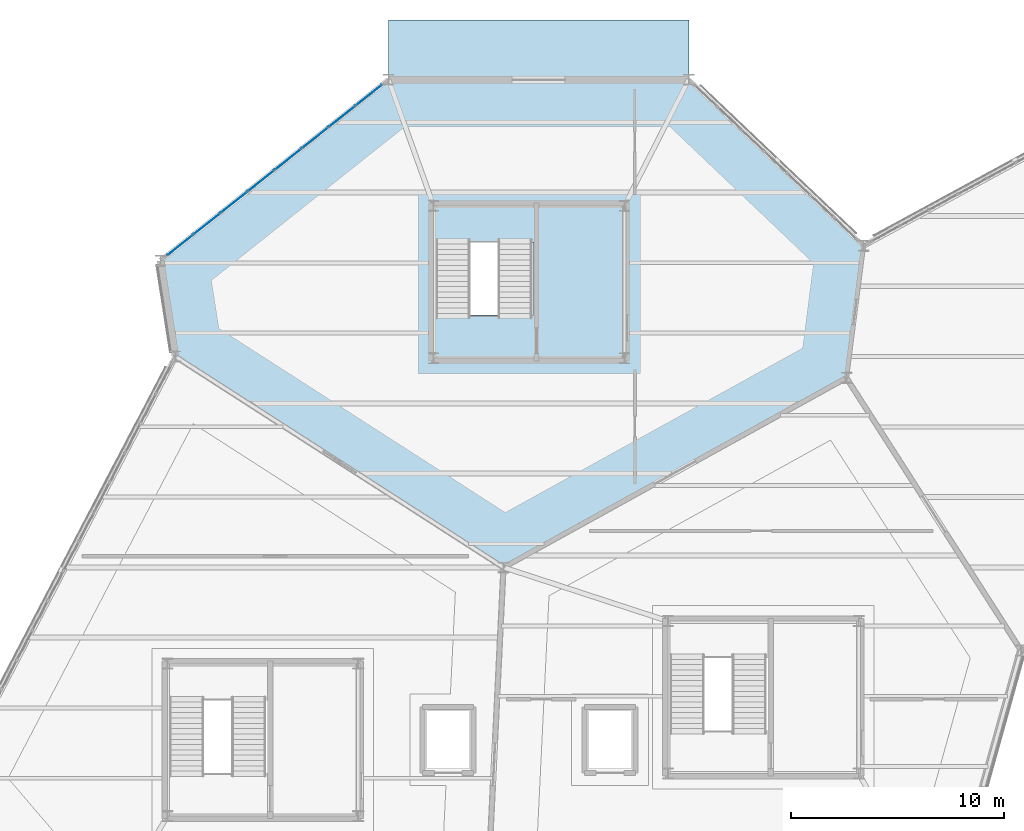
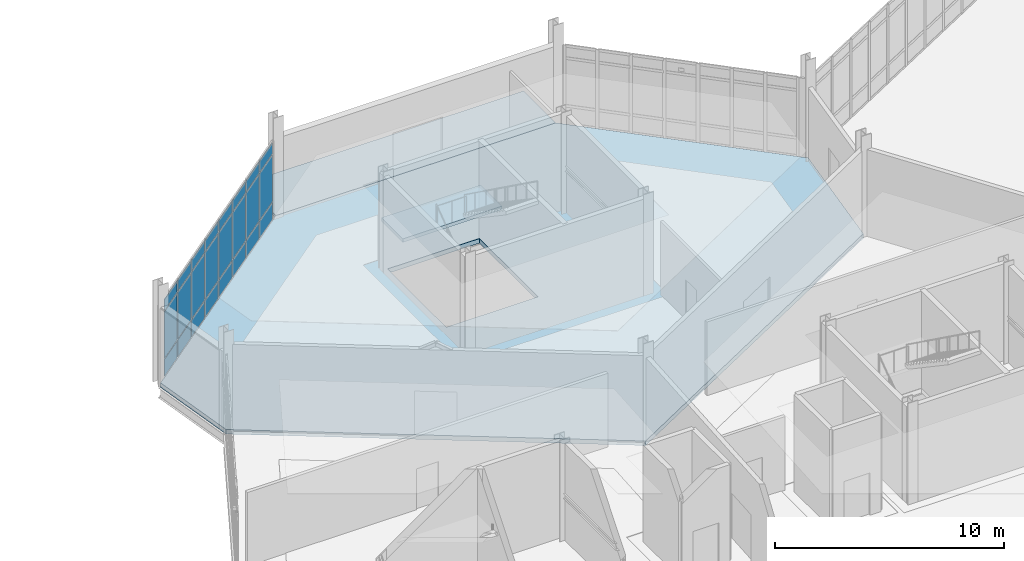
# One storey, part 78 of 113: 24 plates, 3 slabs, 2 elements without a shape of their own.
"""IFC4 building model written with IfcOpenShell, lengths in metres."""

from ifc_helpers import new_model, si_unit, direction, frame, origin, origin_2d, place, context, subcontext, project, spatial, polyline, rectangle, outline, extrude, material, layer, layer_set, type_object, element, aggregate, save


model = new_model("IFC4")

# Units and contexts
model_context = context("Model", 3, precision=1e-05, world=origin(), true_north=direction((0.0, 1.0)))
body_context = subcontext(model_context, "Body", "Model", "MODEL_VIEW")
ifc_project = project(units=[si_unit("LENGTHUNIT", "METRE"), si_unit("AREAUNIT", "SQUARE_METRE"), si_unit("VOLUMEUNIT", "CUBIC_METRE"), si_unit("PLANEANGLEUNIT", "RADIAN"), si_unit("MASSUNIT", "GRAM", prefix="KILO")], contexts=[model_context])

# Site, building, storey
site_placement = place(None, origin())
site = spatial("IfcSite", under=ifc_project, at=site_placement, CompositionType="ELEMENT")
building_placement = place(site_placement, origin())
building = spatial("IfcBuilding", under=site, at=building_placement, Name="Tameran Prism Museum", CompositionType="ELEMENT")
storey_placement = place(building_placement, origin())
storey = spatial("IfcBuildingStorey", under=building, at=storey_placement, Name="L00", CompositionType="ELEMENT", Elevation=0.0)

# Curtain wall, plates
ifc_material_1 = material(Name="Anodised Aluminium 6063-T6 and Cyclone Solar Glass", Category="aluminium")
curtain_wall_type = type_object("IfcCurtainWallType", Name="CW-FAC-1296x422", PredefinedType="USERDEFINED", material=ifc_material_1)
curtain_wall_placement = place(storey_placement, origin())
curtain_wall = element("IfcCurtainWall", 1, at=curtain_wall_placement, inside=storey, type_object=curtain_wall_type, Name="Unitised Curtain Wall CW-024", ObjectType="UNITISED CURTAIN WALL", PredefinedType="USERDEFINED")
ifc_material_2 = material(Name="Cyclone Laminated Solar Glass", Category="glass")
ifc_layer_1 = layer(ifc_material_2, 0.031982421875)
ifc_layer_set_1 = layer_set([ifc_layer_1])
plate_type = type_object("IfcPlateType", Name="CW-PNL-G32", PredefinedType="CURTAIN_PANEL", material=ifc_layer_set_1)
plate_1_placement = place(storey_placement, frame((103.622314453125, 104.23291015625, 0.070068359375), z_axis=(0.0, 0.0, 1.0), x_axis=(0.783031296178, 0.621982306183, 0.0)))
plate_1 = element("IfcPlate", 2, at=plate_1_placement, type_object=plate_type, Name="CW-024 panel 1.1", PredefinedType="CURTAIN_PANEL", context=body_context, shape_type="SweptSolid", body=[
    extrude(rectangle(XDim=1.515625, YDim=0.031982421875, at=origin_2d()), origin(), (0.0, 0.0, 1.0), 0.89501953125),
])
plate_2_placement = place(storey_placement, frame((103.622314453125, 104.23291015625, 1.03515625), z_axis=(0.0, 0.0, 1.0), x_axis=(0.783031296178, 0.621982306183, 0.0)))
plate_2 = element("IfcPlate", 3, at=plate_2_placement, type_object=plate_type, Name="CW-024 panel 1.2", PredefinedType="CURTAIN_PANEL", context=body_context, shape_type="SweptSolid", body=[
    extrude(rectangle(XDim=1.515625, YDim=0.031982421875, at=origin_2d()), origin(), (0.0, 0.0, 1.0), 2.469970703125),
])
plate_3_placement = place(storey_placement, frame((103.622314453125, 104.23291015625, 3.5751953125), z_axis=(0.0, 0.0, 1.0), x_axis=(0.783031296178, 0.621982306183, 0.0)))
plate_3 = element("IfcPlate", 4, at=plate_3_placement, type_object=plate_type, Name="CW-024 panel 1.3", PredefinedType="CURTAIN_PANEL", context=body_context, shape_type="SweptSolid", body=[
    extrude(rectangle(XDim=1.515625, YDim=0.031982421875, at=origin_2d()), origin(), (0.0, 0.0, 1.0), 0.574951171875),
])
plate_4_placement = place(storey_placement, frame((104.87744140625, 105.22998046875, 0.070068359375), z_axis=(0.0, 0.0, 1.0), x_axis=(0.783031296178, 0.621982306183, 0.0)))
plate_4 = element("IfcPlate", 5, at=plate_4_placement, type_object=plate_type, Name="CW-024 panel 2.1", PredefinedType="CURTAIN_PANEL", context=body_context, shape_type="SweptSolid", body=[
    extrude(rectangle(XDim=1.550537109375, YDim=0.031982421875, at=origin_2d()), origin(), (0.0, 0.0, 1.0), 0.89501953125),
])
plate_5_placement = place(storey_placement, frame((104.87744140625, 105.22998046875, 1.03515625), z_axis=(0.0, 0.0, 1.0), x_axis=(0.783031296178, 0.621982306183, 0.0)))
plate_5 = element("IfcPlate", 6, at=plate_5_placement, type_object=plate_type, Name="CW-024 panel 2.2", PredefinedType="CURTAIN_PANEL", context=body_context, shape_type="SweptSolid", body=[
    extrude(rectangle(XDim=1.550537109375, YDim=0.031982421875, at=origin_2d()), origin(), (0.0, 0.0, 1.0), 2.469970703125),
])
plate_6_placement = place(storey_placement, frame((104.87744140625, 105.22998046875, 3.5751953125), z_axis=(0.0, 0.0, 1.0), x_axis=(0.783031296178, 0.621982306183, 0.0)))
plate_6 = element("IfcPlate", 7, at=plate_6_placement, type_object=plate_type, Name="CW-024 panel 2.3", PredefinedType="CURTAIN_PANEL", context=body_context, shape_type="SweptSolid", body=[
    extrude(rectangle(XDim=1.550537109375, YDim=0.031982421875, at=origin_2d()), origin(), (0.0, 0.0, 1.0), 0.574951171875),
])
plate_7_placement = place(storey_placement, frame((106.146484375, 106.238037109375, 0.070068359375), z_axis=(0.0, 0.0, 1.0), x_axis=(0.783031296178, 0.621982306183, 0.0)))
plate_7 = element("IfcPlate", 8, at=plate_7_placement, type_object=plate_type, Name="CW-024 panel 3.1", PredefinedType="CURTAIN_PANEL", context=body_context, shape_type="SweptSolid", body=[
    extrude(rectangle(XDim=1.550537109375, YDim=0.031982421875, at=origin_2d()), origin(), (0.0, 0.0, 1.0), 0.89501953125),
])
plate_8_placement = place(storey_placement, frame((106.146484375, 106.238037109375, 1.03515625), z_axis=(0.0, 0.0, 1.0), x_axis=(0.783031296178, 0.621982306183, 0.0)))
plate_8 = element("IfcPlate", 9, at=plate_8_placement, type_object=plate_type, Name="CW-024 panel 3.2", PredefinedType="CURTAIN_PANEL", context=body_context, shape_type="SweptSolid", body=[
    extrude(rectangle(XDim=1.550537109375, YDim=0.031982421875, at=origin_2d()), origin(), (0.0, 0.0, 1.0), 2.469970703125),
])
plate_9_placement = place(storey_placement, frame((106.146484375, 106.238037109375, 3.5751953125), z_axis=(0.0, 0.0, 1.0), x_axis=(0.783031296178, 0.621982306183, 0.0)))
plate_9 = element("IfcPlate", 10, at=plate_9_placement, type_object=plate_type, Name="CW-024 panel 3.3", PredefinedType="CURTAIN_PANEL", context=body_context, shape_type="SweptSolid", body=[
    extrude(rectangle(XDim=1.550537109375, YDim=0.031982421875, at=origin_2d()), origin(), (0.0, 0.0, 1.0), 0.574951171875),
])
plate_10_placement = place(storey_placement, frame((107.41552734375, 107.24609375, 0.070068359375), z_axis=(0.0, 0.0, 1.0), x_axis=(0.783031296178, 0.621982306183, 0.0)))
plate_10 = element("IfcPlate", 11, at=plate_10_placement, type_object=plate_type, Name="CW-024 panel 4.1", PredefinedType="CURTAIN_PANEL", context=body_context, shape_type="SweptSolid", body=[
    extrude(rectangle(XDim=1.550537109375, YDim=0.031982421875, at=origin_2d()), origin(), (0.0, 0.0, 1.0), 0.89501953125),
])
plate_11_placement = place(storey_placement, frame((107.41552734375, 107.24609375, 1.03515625), z_axis=(0.0, 0.0, 1.0), x_axis=(0.783031296178, 0.621982306183, 0.0)))
plate_11 = element("IfcPlate", 12, at=plate_11_placement, type_object=plate_type, Name="CW-024 panel 4.2", PredefinedType="CURTAIN_PANEL", context=body_context, shape_type="SweptSolid", body=[
    extrude(rectangle(XDim=1.550537109375, YDim=0.031982421875, at=origin_2d()), origin(), (0.0, 0.0, 1.0), 2.469970703125),
])
plate_12_placement = place(storey_placement, frame((107.41552734375, 107.24609375, 3.5751953125), z_axis=(0.0, 0.0, 1.0), x_axis=(0.783031296178, 0.621982306183, 0.0)))
plate_12 = element("IfcPlate", 13, at=plate_12_placement, type_object=plate_type, Name="CW-024 panel 4.3", PredefinedType="CURTAIN_PANEL", context=body_context, shape_type="SweptSolid", body=[
    extrude(rectangle(XDim=1.550537109375, YDim=0.031982421875, at=origin_2d()), origin(), (0.0, 0.0, 1.0), 0.574951171875),
])
plate_13_placement = place(storey_placement, frame((108.6845703125, 108.25390625, 0.070068359375), z_axis=(0.0, 0.0, 1.0), x_axis=(0.783031296178, 0.621982306183, 0.0)))
plate_13 = element("IfcPlate", 14, at=plate_13_placement, type_object=plate_type, Name="CW-024 panel 5.1", PredefinedType="CURTAIN_PANEL", context=body_context, shape_type="SweptSolid", body=[
    extrude(rectangle(XDim=1.550537109375, YDim=0.031982421875, at=origin_2d()), origin(), (0.0, 0.0, 1.0), 0.89501953125),
])
plate_14_placement = place(storey_placement, frame((108.6845703125, 108.25390625, 1.03515625), z_axis=(0.0, 0.0, 1.0), x_axis=(0.783031296178, 0.621982306183, 0.0)))
plate_14 = element("IfcPlate", 15, at=plate_14_placement, type_object=plate_type, Name="CW-024 panel 5.2", PredefinedType="CURTAIN_PANEL", context=body_context, shape_type="SweptSolid", body=[
    extrude(rectangle(XDim=1.550537109375, YDim=0.031982421875, at=origin_2d()), origin(), (0.0, 0.0, 1.0), 2.469970703125),
])
plate_15_placement = place(storey_placement, frame((108.6845703125, 108.25390625, 3.5751953125), z_axis=(0.0, 0.0, 1.0), x_axis=(0.783031296178, 0.621982306183, 0.0)))
plate_15 = element("IfcPlate", 16, at=plate_15_placement, type_object=plate_type, Name="CW-024 panel 5.3", PredefinedType="CURTAIN_PANEL", context=body_context, shape_type="SweptSolid", body=[
    extrude(rectangle(XDim=1.550537109375, YDim=0.031982421875, at=origin_2d()), origin(), (0.0, 0.0, 1.0), 0.574951171875),
])
plate_16_placement = place(storey_placement, frame((109.95361328125, 109.261962890625, 0.070068359375), z_axis=(0.0, 0.0, 1.0), x_axis=(0.783031296178, 0.621982306183, 0.0)))
plate_16 = element("IfcPlate", 17, at=plate_16_placement, type_object=plate_type, Name="CW-024 panel 6.1", PredefinedType="CURTAIN_PANEL", context=body_context, shape_type="SweptSolid", body=[
    extrude(rectangle(XDim=1.550537109375, YDim=0.031982421875, at=origin_2d()), origin(), (0.0, 0.0, 1.0), 0.89501953125),
])
plate_17_placement = place(storey_placement, frame((109.95361328125, 109.261962890625, 1.03515625), z_axis=(0.0, 0.0, 1.0), x_axis=(0.783031296178, 0.621982306183, 0.0)))
plate_17 = element("IfcPlate", 18, at=plate_17_placement, type_object=plate_type, Name="CW-024 panel 6.2", PredefinedType="CURTAIN_PANEL", context=body_context, shape_type="SweptSolid", body=[
    extrude(rectangle(XDim=1.550537109375, YDim=0.031982421875, at=origin_2d()), origin(), (0.0, 0.0, 1.0), 2.469970703125),
])
plate_18_placement = place(storey_placement, frame((109.95361328125, 109.261962890625, 3.5751953125), z_axis=(0.0, 0.0, 1.0), x_axis=(0.783031296178, 0.621982306183, 0.0)))
plate_18 = element("IfcPlate", 19, at=plate_18_placement, type_object=plate_type, Name="CW-024 panel 6.3", PredefinedType="CURTAIN_PANEL", context=body_context, shape_type="SweptSolid", body=[
    extrude(rectangle(XDim=1.550537109375, YDim=0.031982421875, at=origin_2d()), origin(), (0.0, 0.0, 1.0), 0.574951171875),
])
plate_19_placement = place(storey_placement, frame((111.222412109375, 110.27001953125, 0.070068359375), z_axis=(0.0, 0.0, 1.0), x_axis=(0.783031296178, 0.621982306183, 0.0)))
plate_19 = element("IfcPlate", 20, at=plate_19_placement, type_object=plate_type, Name="CW-024 panel 7.1", PredefinedType="CURTAIN_PANEL", context=body_context, shape_type="SweptSolid", body=[
    extrude(rectangle(XDim=1.550537109375, YDim=0.031982421875, at=origin_2d()), origin(), (0.0, 0.0, 1.0), 0.89501953125),
])
plate_20_placement = place(storey_placement, frame((111.222412109375, 110.27001953125, 1.03515625), z_axis=(0.0, 0.0, 1.0), x_axis=(0.783031296178, 0.621982306183, 0.0)))
plate_20 = element("IfcPlate", 21, at=plate_20_placement, type_object=plate_type, Name="CW-024 panel 7.2", PredefinedType="CURTAIN_PANEL", context=body_context, shape_type="SweptSolid", body=[
    extrude(rectangle(XDim=1.550537109375, YDim=0.031982421875, at=origin_2d()), origin(), (0.0, 0.0, 1.0), 2.469970703125),
])
plate_21_placement = place(storey_placement, frame((111.222412109375, 110.27001953125, 3.5751953125), z_axis=(0.0, 0.0, 1.0), x_axis=(0.783031296178, 0.621982306183, 0.0)))
plate_21 = element("IfcPlate", 22, at=plate_21_placement, type_object=plate_type, Name="CW-024 panel 7.3", PredefinedType="CURTAIN_PANEL", context=body_context, shape_type="SweptSolid", body=[
    extrude(rectangle(XDim=1.550537109375, YDim=0.031982421875, at=origin_2d()), origin(), (0.0, 0.0, 1.0), 0.574951171875),
])
plate_22_placement = place(storey_placement, frame((112.477783203125, 111.26708984375, 0.070068359375), z_axis=(0.0, 0.0, 1.0), x_axis=(0.783031296178, 0.621982306183, 0.0)))
plate_22 = element("IfcPlate", 23, at=plate_22_placement, type_object=plate_type, Name="CW-024 panel 8.1", PredefinedType="CURTAIN_PANEL", context=body_context, shape_type="SweptSolid", body=[
    extrude(rectangle(XDim=1.515625, YDim=0.031982421875, at=origin_2d()), origin(), (0.0, 0.0, 1.0), 0.89501953125),
])
plate_23_placement = place(storey_placement, frame((112.477783203125, 111.26708984375, 1.03515625), z_axis=(0.0, 0.0, 1.0), x_axis=(0.783031296178, 0.621982306183, 0.0)))
plate_23 = element("IfcPlate", 24, at=plate_23_placement, type_object=plate_type, Name="CW-024 panel 8.2", PredefinedType="CURTAIN_PANEL", context=body_context, shape_type="SweptSolid", body=[
    extrude(rectangle(XDim=1.515625, YDim=0.031982421875, at=origin_2d()), origin(), (0.0, 0.0, 1.0), 2.469970703125),
])
plate_24_placement = place(storey_placement, frame((112.477783203125, 111.26708984375, 3.5751953125), z_axis=(0.0, 0.0, 1.0), x_axis=(0.783031296178, 0.621982306183, 0.0)))
plate_24 = element("IfcPlate", 25, at=plate_24_placement, type_object=plate_type, Name="CW-024 panel 8.3", PredefinedType="CURTAIN_PANEL", context=body_context, shape_type="SweptSolid", body=[
    extrude(rectangle(XDim=1.515625, YDim=0.031982421875, at=origin_2d()), origin(), (0.0, 0.0, 1.0), 0.574951171875),
])
aggregate(curtain_wall, [plate_1, plate_2, plate_3, plate_4, plate_5, plate_6, plate_7, plate_8, plate_9, plate_10, plate_11, plate_12, plate_13, plate_14, plate_15, plate_16, plate_17, plate_18, plate_19, plate_20, plate_21, plate_22, plate_23, plate_24])

# Slab
ifc_material_3 = material(Name="Concrete N40 (40 MPa)", Category="concrete")
ifc_layer_2 = layer(ifc_material_3, 0.239990234375)
ifc_layer_set_2 = layer_set([ifc_layer_2])
slab_type_1 = type_object("IfcSlabType", Name="SL-FLR-240", PredefinedType="FLOOR", material=ifc_layer_set_2)
slab_1_placement = place(storey_placement, frame((0.0, 0.0, -0.239990234375)))
element("IfcSlab", 26, at=slab_1_placement, inside=storey, type_object=slab_type_1, Name="Floor Slab FS-P03-L00", PredefinedType="FLOOR", context=body_context, shape_type="SweptSolid", body=[
    extrude(outline(polyline([(102.699951171875, 103.5), (113.39990234375, 112.0), (127.5, 112.0), (135.699951171875, 104.199951171875), (134.89990234375, 98.0), (118.800048828125, 89.10009765625), (103.39990234375, 99.0), (102.699951171875, 103.5)]), holes=[polyline([(120.219970703125, 106.050048828125), (115.60009765625, 106.050048828125), (115.60009765625, 100.93994140625), (120.219970703125, 100.93994140625), (120.219970703125, 106.050048828125)])]), origin(), (0.0, 0.0, 1.0), 0.239990234375),
])

# Stair, slab
ifc_material_4 = material(Name="Concrete N40 (40 MPa)", Category="concrete")
stair_type = type_object("IfcStairType", Name="ST-CORE-54", PredefinedType="HALF_TURN_STAIR", material=ifc_material_4)
stair_placement = place(storey_placement, origin())
stair = element("IfcStair", 27, at=stair_placement, inside=storey, type_object=stair_type, Name="Fire-Isolated Stair ST-07-L00", PredefinedType="HALF_TURN_STAIR")
ifc_material_5 = material(Name="Concrete N40 (40 MPa)", Category="concrete")
ifc_layer_3 = layer(ifc_material_5, 0.18505859375)
ifc_layer_set_3 = layer_set([ifc_layer_3])
slab_type_2 = type_object("IfcSlabType", Name="SL-LND-185", PredefinedType="LANDING", material=ifc_layer_set_3)
slab_2_placement = place(storey_placement, frame((0.0, 0.0, 2.514892578125)))
slab_2 = element("IfcSlab", 28, at=slab_2_placement, type_object=slab_type_2, Name="ST-07-L00 landing 1", PredefinedType="LANDING", context=body_context, shape_type="SweptSolid", body=[
    extrude(outline(polyline([(115.3798828125, 104.35009765625), (120.3701171875, 104.35009765625), (120.3701171875, 106.219970703125), (115.3798828125, 106.219970703125), (115.3798828125, 104.35009765625)])), origin(), (0.0, 0.0, 1.0), 0.18505859375),
])
aggregate(stair, [slab_2])

# Slab
ifc_material_6 = material(Name="Concrete N32 (32 MPa)", Category="concrete")
ifc_layer_4 = layer(ifc_material_6, 0.1201171875)
ifc_layer_set_4 = layer_set([ifc_layer_4])
slab_type_3 = type_object("IfcSlabType", Name="SL-PAV-120", PredefinedType="USERDEFINED", material=ifc_layer_set_4)
slab_3_placement = place(storey_placement, frame((0.0, 0.0, -0.1201171875)))
element("IfcSlab", 29, at=slab_3_placement, inside=storey, type_object=slab_type_3, Name="Exterior Forecourt Paving Slab AP-14", ObjectType="PAVING", PredefinedType="USERDEFINED", context=body_context, shape_type="SweptSolid", body=[
    extrude(outline(polyline([(113.39990234375, 114.800048828125), (127.5, 114.800048828125), (127.5, 112.0), (113.39990234375, 112.0), (113.39990234375, 114.800048828125)])), origin(), (0.0, 0.0, 1.0), 0.1201171875),
])

save(model, "model.ifc")
